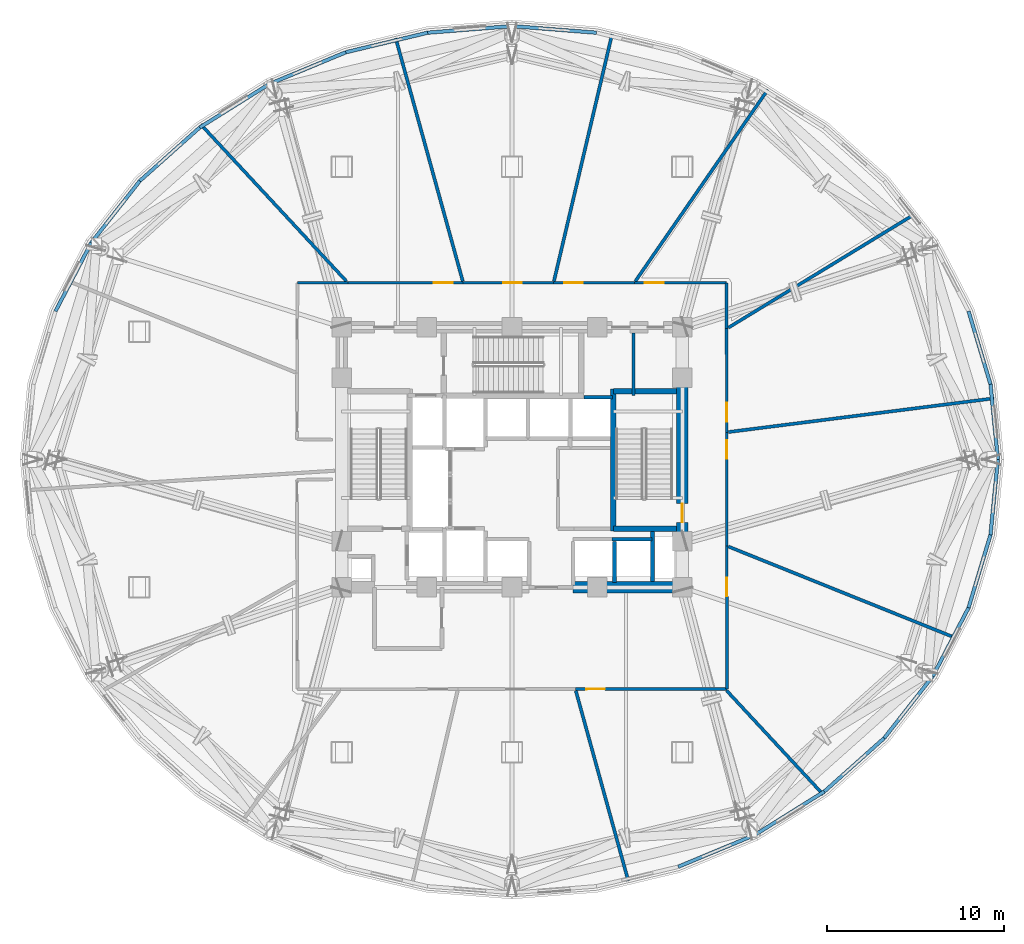
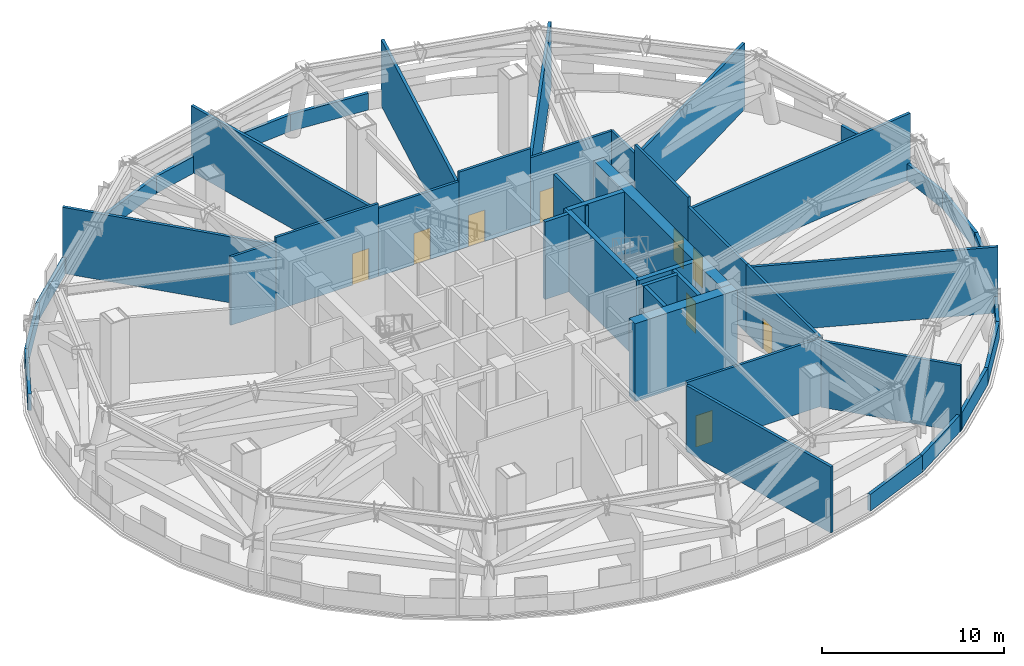
# One storey, part 8 of 14: 46 walls, 9 doors, 9 openings.
"""IFC4 building model written with IfcOpenShell, lengths in metres."""

from ifc_helpers import new_model, si_unit, direction, frame, frame_2d, origin, place, context, subcontext, project, spatial, rectangle, extrude, material, layer, layer_set, type_object, element, fill, save


model = new_model("IFC4")

# Units and contexts
model_context = context("Model", 3, precision=1e-05, world=origin(), true_north=direction((0.0, 1.0)))
body_context = subcontext(model_context, "Body", "Model", "MODEL_VIEW")
ifc_project = project(units=[si_unit("LENGTHUNIT", "METRE"), si_unit("AREAUNIT", "SQUARE_METRE"), si_unit("VOLUMEUNIT", "CUBIC_METRE"), si_unit("PLANEANGLEUNIT", "RADIAN"), si_unit("MASSUNIT", "GRAM", prefix="KILO")], contexts=[model_context])

# Site, building, storey
site_placement = place(None, origin())
site = spatial("IfcSite", under=ifc_project, at=site_placement, CompositionType="ELEMENT")
building_placement = place(site_placement, origin())
building = spatial("IfcBuilding", under=site, at=building_placement, Name="Vantalir Tower", CompositionType="ELEMENT")
storey_placement = place(building_placement, frame((0.0, 0.0, 90.75)))
storey = spatial("IfcBuildingStorey", under=building, at=storey_placement, Name="L22", CompositionType="ELEMENT", Elevation=90.75)

# Wall
ifc_material_1 = material(Name="Concrete C60/75", Category="concrete")
ifc_layer_1 = layer(ifc_material_1, 0.64990234375)
ifc_layer_set_1 = layer_set([ifc_layer_1], Name="Concrete C60/75")
wall_type_1 = type_object("IfcWallType", Name="WL-CORE-650", PredefinedType="SHEAR", material=ifc_layer_set_1)
wall_1_placement = place(storey_placement, frame((34.949951171875, 17.800048828125, 0.0), z_axis=(0.0, 0.0, 1.0), x_axis=(1.0, 0.0, 0.0)))
element("IfcWall", 1, at=wall_1_placement, inside=storey, type_object=wall_type_1, Name="L22 Core Shear Wall South-East", PredefinedType="SHEAR", context=body_context, shape_type="SweptSolid", body=[
    extrude(rectangle(XDim=6.47509765625, YDim=0.64990234375, at=frame_2d((3.237548828125, 0.0))), origin(), (0.0, 0.0, 1.0), 5.219970703125),
])

# Wall, opening, door
wall_2_placement = place(storey_placement, frame((41.10009765625, 18.125, 0.0), z_axis=(0.0, 0.0, 1.0), x_axis=(0.0, 1.0, 0.0)))
wall_2 = element("IfcWall", 2, at=wall_2_placement, inside=storey, type_object=wall_type_1, Name="L22 Core Shear Wall East", PredefinedType="SHEAR", context=body_context, shape_type="SweptSolid", body=[
    extrude(rectangle(XDim=14.0, YDim=0.64990234375, at=frame_2d((7.0, 0.0))), origin(), (0.0, 0.0, 1.0), 5.219970703125),
])
opening_1_placement = place(wall_2_placement, frame((3.3349609375, 0.0, 0.0)))
opening_1 = element("IfcOpeningElement", 3, at=opening_1_placement, cuts=wall_2, Name="Opening D-ST", PredefinedType="OPENING", context=body_context, shape_type="SweptSolid", body=[
    extrude(rectangle(XDim=1.050048828125, YDim=2.10009765625, at=frame_2d((0.52490234375, 1.050048828125))), frame((0.0, 0.3349609375, 0.0), z_axis=(0.0, -1.0, 0.0), x_axis=(1.0, 0.0, 0.0)), (0.0, 0.0, 1.0), 0.669921875),
])
ifc_material_2 = material(Name="Fire-rated steel door leaf", Category="steel")
door_type = type_object("IfcDoorType", Name="DR-FIRE-STAIR-1050", OperationType="NOTDEFINED", PredefinedType="DOOR", material=ifc_material_2)
door_1_placement = place(opening_1_placement, origin())
door_1 = element("IfcDoor", 4, at=door_1_placement, inside=storey, type_object=door_type, Name="L22 Exit Stair ST2 Fire Door", OperationType="SINGLE_SWING_LEFT", OverallHeight=2.10009765625, OverallWidth=1.050048828125, PredefinedType="DOOR", context=body_context, shape_type="SweptSolid", body=[
    extrude(rectangle(XDim=1.050048828125, YDim=2.10009765625, at=frame_2d((0.52490234375, 1.050048828125))), frame((0.0, 0.02490234375, 0.0), z_axis=(0.0, -1.0, 0.0), x_axis=(1.0, 0.0, 0.0)), (0.0, 0.0, 1.0), 0.050048828125),
])
fill(opening_1, door_1)

# Wall
ifc_material_3 = material(Name="Fire-rated hotel corridor acoustic partition", Category="gypsum")
ifc_layer_2 = layer(ifc_material_3, 0.159912109375)
ifc_layer_set_2 = layer_set([ifc_layer_2], Name="Fire-rated hotel corridor acoustic partition")
wall_type_2 = type_object("IfcWallType", Name="WL-CORR-160", PredefinedType="PARTITIONING", material=ifc_layer_set_2)
wall_3_placement = place(storey_placement, frame((19.406005859375, 34.9599609375, 0.0), z_axis=(0.0, 0.0, 1.0), x_axis=(1.0, 0.0, 0.0)))
element("IfcWall", 5, at=wall_3_placement, inside=storey, type_object=wall_type_2, Name="L22 Corridor Partition 04", PredefinedType="PARTITIONING", context=body_context, shape_type="SweptSolid", body=[
    extrude(rectangle(XDim=2.843017578125, YDim=0.159912109375, at=frame_2d((1.42138671875, 0.0))), origin(), (0.0, 0.0, 1.0), 4.577880859375),
])

# Wall, opening, door
wall_4_placement = place(storey_placement, frame((22.2490234375, 34.9599609375, 0.0), z_axis=(0.0, 0.0, 1.0), x_axis=(1.0, 0.0, 0.0)))
wall_4 = element("IfcWall", 6, at=wall_4_placement, inside=storey, type_object=wall_type_2, Name="L22 Corridor Partition 05", PredefinedType="PARTITIONING", context=body_context, shape_type="SweptSolid", body=[
    extrude(rectangle(XDim=6.501953125, YDim=0.159912109375, at=frame_2d((3.2509765625, 0.0))), origin(), (0.0, 0.0, 1.0), 4.887939453125),
])
opening_2_placement = place(wall_4_placement, frame((4.85205078125, 0.0, 0.0)))
opening_2 = element("IfcOpeningElement", 7, at=opening_2_placement, cuts=wall_4, Name="Opening D-ST", PredefinedType="OPENING", context=body_context, shape_type="SweptSolid", body=[
    extrude(rectangle(XDim=1.050048828125, YDim=2.10009765625, at=frame_2d((0.52490234375, 1.050048828125))), frame((0.0, 0.08984375, 0.0), z_axis=(0.0, -1.0, 0.0), x_axis=(1.0, 0.0, 0.0)), (0.0, 0.0, 1.0), 0.179931640625),
])
door_2_placement = place(opening_2_placement, origin())
door_2 = element("IfcDoor", 8, at=door_2_placement, inside=storey, type_object=door_type, Name="L22 North Dehumidification Plant Room Door", OperationType="SINGLE_SWING_RIGHT", OverallHeight=2.10009765625, OverallWidth=1.050048828125, PredefinedType="DOOR", context=body_context, shape_type="SweptSolid", body=[
    extrude(rectangle(XDim=1.050048828125, YDim=2.10009765625, at=frame_2d((0.52490234375, 1.050048828125))), frame((0.0, 0.02490234375, 0.0), z_axis=(0.0, -1.0, 0.0), x_axis=(1.0, 0.0, 0.0)), (0.0, 0.0, 1.0), 0.050048828125),
])
fill(opening_2, door_2)

wall_5_placement = place(storey_placement, frame((28.7509765625, 34.9599609375, 0.0), z_axis=(0.0, 0.0, 1.0), x_axis=(1.0, 0.0, 0.0)))
wall_5 = element("IfcWall", 9, at=wall_5_placement, inside=storey, type_object=wall_type_2, Name="L22 Corridor Partition 06", PredefinedType="PARTITIONING", context=body_context, shape_type="SweptSolid", body=[
    extrude(rectangle(XDim=5.093017578125, YDim=0.159912109375, at=frame_2d((2.54638671875, 0.0))), origin(), (0.0, 0.0, 1.0), 4.577880859375),
])
opening_3_placement = place(wall_5_placement, frame((2.2451171875, 0.0, 0.0)))
opening_3 = element("IfcOpeningElement", 10, at=opening_3_placement, cuts=wall_5, Name="Opening D-ST", PredefinedType="OPENING", context=body_context, shape_type="SweptSolid", body=[
    extrude(rectangle(XDim=1.050048828125, YDim=2.10009765625, at=frame_2d((0.52490234375, 1.050048828125))), frame((0.0, 0.08984375, 0.0), z_axis=(0.0, -1.0, 0.0), x_axis=(1.0, 0.0, 0.0)), (0.0, 0.0, 1.0), 0.179931640625),
])
door_3_placement = place(opening_3_placement, origin())
door_3 = element("IfcDoor", 11, at=door_3_placement, inside=storey, type_object=door_type, Name="L22 Refuge Area North Door", OperationType="SINGLE_SWING_LEFT", OverallHeight=2.10009765625, OverallWidth=1.050048828125, PredefinedType="DOOR", context=body_context, shape_type="SweptSolid", body=[
    extrude(rectangle(XDim=1.050048828125, YDim=2.10009765625, at=frame_2d((0.52490234375, 1.050048828125))), frame((0.0, 0.02490234375, 0.0), z_axis=(0.0, -1.0, 0.0), x_axis=(1.0, 0.0, 0.0)), (0.0, 0.0, 1.0), 0.050048828125),
])
fill(opening_3, door_3)

wall_6_placement = place(storey_placement, frame((33.843994140625, 34.9599609375, 0.0), z_axis=(0.0, 0.0, 1.0), x_axis=(1.0, 0.0, 0.0)))
wall_6 = element("IfcWall", 12, at=wall_6_placement, inside=storey, type_object=wall_type_2, Name="L22 Corridor Partition 07", PredefinedType="PARTITIONING", context=body_context, shape_type="SweptSolid", body=[
    extrude(rectangle(XDim=4.5458984375, YDim=0.159912109375, at=frame_2d((2.27294921875, 0.0))), origin(), (0.0, 0.0, 1.0), 5.199951171875),
])
opening_4_placement = place(wall_6_placement, frame((0.593017578125, 0.0, 0.0)))
opening_4 = element("IfcOpeningElement", 13, at=opening_4_placement, cuts=wall_6, Name="Opening D-ST", PredefinedType="OPENING", context=body_context, shape_type="SweptSolid", body=[
    extrude(rectangle(XDim=1.050048828125, YDim=2.10009765625, at=frame_2d((0.52490234375, 1.050048828125))), frame((0.0, 0.08984375, 0.0), z_axis=(0.0, -1.0, 0.0), x_axis=(1.0, 0.0, 0.0)), (0.0, 0.0, 1.0), 0.179931640625),
])
door_4_placement = place(opening_4_placement, origin())
door_4 = element("IfcDoor", 14, at=door_4_placement, inside=storey, type_object=door_type, Name="L22 East Air Handling Plant Room Door", OperationType="SINGLE_SWING_RIGHT", OverallHeight=2.10009765625, OverallWidth=1.050048828125, PredefinedType="DOOR", context=body_context, shape_type="SweptSolid", body=[
    extrude(rectangle(XDim=1.050048828125, YDim=2.10009765625, at=frame_2d((0.52490234375, 1.050048828125))), frame((0.0, 0.02490234375, 0.0), z_axis=(0.0, -1.0, 0.0), x_axis=(1.0, 0.0, 0.0)), (0.0, 0.0, 1.0), 0.050048828125),
])
fill(opening_4, door_4)

wall_7_placement = place(storey_placement, frame((38.389892578125, 34.9599609375, 0.0), z_axis=(0.0, 0.0, 1.0), x_axis=(1.0, 0.0, 0.0)))
wall_7 = element("IfcWall", 15, at=wall_7_placement, inside=storey, type_object=wall_type_2, Name="L22 Corridor Partition 08", PredefinedType="PARTITIONING", context=body_context, shape_type="SweptSolid", body=[
    extrude(rectangle(XDim=5.2041015625, YDim=0.159912109375, at=frame_2d((2.60205078125, 0.0))), origin(), (0.0, 0.0, 1.0), 4.577880859375),
])
opening_5_placement = place(wall_7_placement, frame((0.60205078125, 0.0, 0.0)))
opening_5 = element("IfcOpeningElement", 16, at=opening_5_placement, cuts=wall_7, Name="Opening D-ST", PredefinedType="OPENING", context=body_context, shape_type="SweptSolid", body=[
    extrude(rectangle(XDim=1.050048828125, YDim=2.10009765625, at=frame_2d((0.52490234375, 1.050048828125))), frame((0.0, 0.08984375, 0.0), z_axis=(0.0, -1.0, 0.0), x_axis=(1.0, 0.0, 0.0)), (0.0, 0.0, 1.0), 0.179931640625),
])
door_5_placement = place(opening_5_placement, origin())
door_5 = element("IfcDoor", 17, at=door_5_placement, inside=storey, type_object=door_type, Name="L22 Plate Heat Exchanger Plant Room Door", OperationType="SINGLE_SWING_LEFT", OverallHeight=2.10009765625, OverallWidth=1.050048828125, PredefinedType="DOOR", context=body_context, shape_type="SweptSolid", body=[
    extrude(rectangle(XDim=1.050048828125, YDim=2.10009765625, at=frame_2d((0.52490234375, 1.050048828125))), frame((0.0, 0.02490234375, 0.0), z_axis=(0.0, -1.0, 0.0), x_axis=(1.0, 0.0, 0.0)), (0.0, 0.0, 1.0), 0.050048828125),
])
fill(opening_5, door_5)

# Wall
wall_8_placement = place(storey_placement, frame((43.593994140625, 34.9599609375, 0.0), z_axis=(0.0, 0.0, 1.0), x_axis=(0.000754147599, -0.999999715631, 0.0)))
element("IfcWall", 18, at=wall_8_placement, inside=storey, type_object=wall_type_2, Name="L22 Corridor Partition 09", PredefinedType="PARTITIONING", context=body_context, shape_type="SweptSolid", body=[
    extrude(rectangle(XDim=2.58984375, YDim=0.159912109375, at=frame_2d((1.294921875, 0.0))), origin(), (0.0, 0.0, 1.0), 4.577880859375),
])

# Wall, opening, door
wall_9_placement = place(storey_placement, frame((43.595947265625, 32.3701171875, 0.0), z_axis=(0.0, 0.0, 1.0), x_axis=(0.000711386186, -0.999999746965, 0.0)))
wall_9 = element("IfcWall", 19, at=wall_9_placement, inside=storey, type_object=wall_type_2, Name="L22 Corridor Partition 10", PredefinedType="PARTITIONING", context=body_context, shape_type="SweptSolid", body=[
    extrude(rectangle(XDim=5.834228515625, YDim=0.159912109375, at=frame_2d((2.9169921875, 0.0))), origin(), (0.0, 0.0, 1.0), 5.199951171875),
])
opening_6_placement = place(wall_9_placement, frame((4.177978515625, 0.0, 0.0)))
opening_6 = element("IfcOpeningElement", 20, at=opening_6_placement, cuts=wall_9, Name="Opening D-ST", PredefinedType="OPENING", context=body_context, shape_type="SweptSolid", body=[
    extrude(rectangle(XDim=1.050048828125, YDim=2.10009765625, at=frame_2d((0.52490234375, 1.050048828125))), frame((0.0, 0.08984375, 0.0), z_axis=(0.0, -1.0, 0.0), x_axis=(1.0, 0.0, 0.0)), (0.0, 0.0, 1.0), 0.179931640625),
])
door_6_placement = place(opening_6_placement, origin())
door_6 = element("IfcDoor", 21, at=door_6_placement, inside=storey, type_object=door_type, Name="L22 Primary Chiller Mechanical Plant Room Door", OperationType="SINGLE_SWING_RIGHT", OverallHeight=2.10009765625, OverallWidth=1.050048828125, PredefinedType="DOOR", context=body_context, shape_type="SweptSolid", body=[
    extrude(rectangle(XDim=1.050048828125, YDim=2.10009765625, at=frame_2d((0.52490234375, 1.050048828125))), frame((0.0, 0.02490234375, 0.0), z_axis=(0.0, -1.0, 0.0), x_axis=(1.0, 0.0, 0.0)), (0.0, 0.0, 1.0), 0.050048828125),
])
fill(opening_6, door_6)

wall_10_placement = place(storey_placement, frame((43.60009765625, 26.535888671875, 0.0), z_axis=(0.0, 0.0, 1.0), x_axis=(0.000609988449, -0.999999813957, 0.0)))
wall_10 = element("IfcWall", 22, at=wall_10_placement, inside=storey, type_object=wall_type_2, Name="L22 Corridor Partition 11", PredefinedType="PARTITIONING", context=body_context, shape_type="SweptSolid", body=[
    extrude(rectangle(XDim=6.40380859375, YDim=0.159912109375, at=frame_2d((3.201904296875, 0.0))), origin(), (0.0, 0.0, 1.0), 4.577880859375),
])
opening_7_placement = place(wall_10_placement, frame((0.4560546875, 0.0, 0.0)))
opening_7 = element("IfcOpeningElement", 23, at=opening_7_placement, cuts=wall_10, Name="Opening D-ST", PredefinedType="OPENING", context=body_context, shape_type="SweptSolid", body=[
    extrude(rectangle(XDim=1.050048828125, YDim=2.10009765625, at=frame_2d((0.52490234375, 1.050048828125))), frame((0.0, 0.08984375, 0.0), z_axis=(0.0, -1.0, 0.0), x_axis=(1.0, 0.0, 0.0)), (0.0, 0.0, 1.0), 0.179931640625),
])
door_7_placement = place(opening_7_placement, origin())
door_7 = element("IfcDoor", 24, at=door_7_placement, inside=storey, type_object=door_type, Name="L22 BMS Control Mechanical Plant Room Door", OperationType="SINGLE_SWING_LEFT", OverallHeight=2.10009765625, OverallWidth=1.050048828125, PredefinedType="DOOR", context=body_context, shape_type="SweptSolid", body=[
    extrude(rectangle(XDim=1.050048828125, YDim=2.10009765625, at=frame_2d((0.52490234375, 1.050048828125))), frame((0.0, 0.02490234375, 0.0), z_axis=(0.0, -1.0, 0.0), x_axis=(1.0, 0.0, 0.0)), (0.0, 0.0, 1.0), 0.050048828125),
])
fill(opening_7, door_7)

wall_11_placement = place(storey_placement, frame((43.60400390625, 20.132080078125, 0.0), z_axis=(0.0, 0.0, 1.0), x_axis=(0.000757162543, -0.999999713352, 0.0)))
wall_11 = element("IfcWall", 25, at=wall_11_placement, inside=storey, type_object=wall_type_2, Name="L22 Corridor Partition 12", PredefinedType="PARTITIONING", context=body_context, shape_type="SweptSolid", body=[
    extrude(rectangle(XDim=8.06103515625, YDim=0.159912109375, at=frame_2d((4.030517578125, 0.0))), origin(), (0.0, 0.0, 1.0), 4.577880859375),
])
opening_8_placement = place(wall_11_placement, frame((1.7958984375, 0.0, 0.0)))
opening_8 = element("IfcOpeningElement", 26, at=opening_8_placement, cuts=wall_11, Name="Opening D-ST", PredefinedType="OPENING", context=body_context, shape_type="SweptSolid", body=[
    extrude(rectangle(XDim=1.050048828125, YDim=2.10009765625, at=frame_2d((0.52490234375, 1.050048828125))), frame((0.0, 0.08984375, 0.0), z_axis=(0.0, -1.0, 0.0), x_axis=(1.0, 0.0, 0.0)), (0.0, 0.0, 1.0), 0.179931640625),
])
door_8_placement = place(opening_8_placement, origin())
door_8 = element("IfcDoor", 27, at=door_8_placement, inside=storey, type_object=door_type, Name="L22 Stair Pressurisation Fan Plant Room Door", OperationType="SINGLE_SWING_RIGHT", OverallHeight=2.10009765625, OverallWidth=1.050048828125, PredefinedType="DOOR", context=body_context, shape_type="SweptSolid", body=[
    extrude(rectangle(XDim=1.050048828125, YDim=2.10009765625, at=frame_2d((0.52490234375, 1.050048828125))), frame((0.0, 0.02490234375, 0.0), z_axis=(0.0, -1.0, 0.0), x_axis=(1.0, 0.0, 0.0)), (0.0, 0.0, 1.0), 0.050048828125),
])
fill(opening_8, door_8)

wall_12_placement = place(storey_placement, frame((43.610107421875, 12.071044921875, 0.0), z_axis=(0.0, 0.0, 1.0), x_axis=(-0.999999744606, -0.000714693928, 0.0)))
wall_12 = element("IfcWall", 28, at=wall_12_placement, inside=storey, type_object=wall_type_2, Name="L22 Corridor Partition 13", PredefinedType="PARTITIONING", context=body_context, shape_type="SweptSolid", body=[
    extrude(rectangle(XDim=8.5400390625, YDim=0.159912109375, at=frame_2d((4.27001953125, 0.0))), origin(), (0.0, 0.0, 1.0), 4.577880859375),
])
opening_9_placement = place(wall_12_placement, frame((6.882080078125, 0.0, 0.0)))
opening_9 = element("IfcOpeningElement", 29, at=opening_9_placement, cuts=wall_12, Name="Opening D-ST", PredefinedType="OPENING", context=body_context, shape_type="SweptSolid", body=[
    extrude(rectangle(XDim=1.050048828125, YDim=2.10009765625, at=frame_2d((0.52490234375, 1.050048828125))), frame((0.0, 0.08984375, 0.0), z_axis=(0.0, -1.0, 0.0), x_axis=(1.0, 0.0, 0.0)), (0.0, 0.0, 1.0), 0.179931640625),
])
door_9_placement = place(opening_9_placement, origin())
door_9 = element("IfcDoor", 30, at=door_9_placement, inside=storey, type_object=door_type, Name="L22 Smoke Extract Fan Plant Room Door", OperationType="SINGLE_SWING_LEFT", OverallHeight=2.10009765625, OverallWidth=1.050048828125, PredefinedType="DOOR", context=body_context, shape_type="SweptSolid", body=[
    extrude(rectangle(XDim=1.050048828125, YDim=2.10009765625, at=frame_2d((0.52490234375, 1.050048828125))), frame((0.0, 0.02490234375, 0.0), z_axis=(0.0, -1.0, 0.0), x_axis=(1.0, 0.0, 0.0)), (0.0, 0.0, 1.0), 0.050048828125),
])
fill(opening_9, door_9)

# Walls
ifc_material_4 = material(Name="Concrete blockwork with fireboard lining", Category="masonry")
ifc_layer_3 = layer(ifc_material_4, 0.219970703125)
ifc_layer_set_3 = layer_set([ifc_layer_3], Name="Concrete blockwork with fireboard lining")
wall_type_3 = type_object("IfcWallType", Name="WL-FFL-220", PredefinedType="PARTITIONING", material=ifc_layer_set_3)
wall_13_placement = place(storey_placement, frame((37.27490234375, 18.080078125, 0.0), z_axis=(0.0, 0.0, 1.0), x_axis=(0.0, 1.0, 0.0)))
element("IfcWall", 31, at=wall_13_placement, inside=storey, type_object=wall_type_3, Name="L22 Shuttle Lift PL-X2/X3 Shaft Divider", PredefinedType="PARTITIONING", context=body_context, shape_type="SweptSolid", body=[
    extrude(rectangle(XDim=2.309814453125, YDim=0.219970703125, at=frame_2d((1.15478515625, 0.0))), origin(), (0.0, 0.0, 1.0), 5.195068359375),
])
wall_14_placement = place(storey_placement, frame((39.419921875, 18.125, 0.0), z_axis=(0.0, 0.0, 1.0), x_axis=(0.0, 1.0, 0.0)))
element("IfcWall", 32, at=wall_14_placement, inside=storey, type_object=wall_type_3, Name="L22 East MEP Riser Wall W", PredefinedType="PARTITIONING", context=body_context, shape_type="SweptSolid", body=[
    extrude(rectangle(XDim=2.824951171875, YDim=0.219970703125, at=frame_2d((1.41259765625, 0.0))), origin(), (0.0, 0.0, 1.0), 5.199951171875),
])
wall_15_placement = place(storey_placement, frame((37.139892578125, 20.510009765625, 0.0), z_axis=(0.0, 0.0, 1.0), x_axis=(1.0, 0.0, 0.0)))
element("IfcWall", 33, at=wall_15_placement, inside=storey, type_object=wall_type_3, Name="L22 Lift PL-X2 Shaft Rear Wall", PredefinedType="PARTITIONING", context=body_context, shape_type="SweptSolid", body=[
    extrude(rectangle(XDim=2.239990234375, YDim=0.219970703125, at=frame_2d((1.1201171875, 0.0))), origin(), (0.0, 0.0, 1.0), 5.199951171875),
])
wall_16_placement = place(storey_placement, frame((35.56005859375, 28.510009765625, 0.0), z_axis=(0.0, 0.0, 1.0), x_axis=(1.0, 0.0, 0.0)))
element("IfcWall", 34, at=wall_16_placement, inside=storey, type_object=wall_type_3, Name="L22 Lift PL-H3 Shaft Front Wall", PredefinedType="PARTITIONING", context=body_context, shape_type="SweptSolid", body=[
    extrude(rectangle(XDim=1.599853515625, YDim=0.219970703125, at=frame_2d((0.7998046875, 0.0))), origin(), (0.0, 0.0, 1.0), 5.199951171875),
])
ifc_material_5 = material(Name="Twin-stud acoustic fire-rated gypsum partition", Category="gypsum")
ifc_layer_4 = layer(ifc_material_5, 0.179931640625)
ifc_layer_set_4 = layer_set([ifc_layer_4], Name="Twin-stud acoustic fire-rated gypsum partition")
wall_type_4 = type_object("IfcWallType", Name="WL-GUEST-180", PredefinedType="PARTITIONING", material=ifc_layer_set_4)
wall_17_placement = place(storey_placement, frame((38.340087890625, 28.6201171875, 0.0), z_axis=(0.0, 0.0, 1.0), x_axis=(0.0, 1.0, 0.0)))
element("IfcWall", 35, at=wall_17_placement, inside=storey, type_object=wall_type_4, Name="L22 High-Rise Lift Lobby East Wall", PredefinedType="PARTITIONING", context=body_context, shape_type="SweptSolid", body=[
    extrude(rectangle(XDim=3.5048828125, YDim=0.179931640625, at=frame_2d((1.75244140625, 0.0))), origin(), (0.0, 0.0, 1.0), 5.199951171875),
])
wall_18_placement = place(storey_placement, frame((43.68994140625, 26.548095703125, 0.0), z_axis=(0.0, 0.0, 1.0), x_axis=(0.992044699696, 0.125886114422, 0.0)))
element("IfcWall", 36, at=wall_18_placement, inside=storey, type_object=wall_type_4, Name="L22 Radial Suite Partition 01", PredefinedType="PARTITIONING", context=body_context, shape_type="SweptSolid", body=[
    extrude(rectangle(XDim=15.09228515625, YDim=0.179931640625, at=frame_2d((7.546142578125, 0.0))), origin(), (0.0, 0.0, 1.0), 4.425048828125),
])
wall_19_placement = place(storey_placement, frame((43.68994140625, 32.427978515625, 0.0), z_axis=(0.0, 0.0, 1.0), x_axis=(0.853952724767, 0.520350597062, 0.0)))
element("IfcWall", 37, at=wall_19_placement, inside=storey, type_object=wall_type_4, Name="L22 Radial Suite Partition 02", PredefinedType="PARTITIONING", context=body_context, shape_type="SweptSolid", body=[
    extrude(rectangle(XDim=12.220947265625, YDim=0.179931640625, at=frame_2d((6.1103515625, 0.0))), origin(), (0.0, 0.0, 1.0), 4.425048828125),
])
wall_20_placement = place(storey_placement, frame((38.445068359375, 35.0400390625, 0.0), z_axis=(0.0, 0.0, 1.0), x_axis=(0.568885080326, 0.822417026442, 0.0)))
element("IfcWall", 38, at=wall_20_placement, inside=storey, type_object=wall_type_4, Name="L22 Radial Suite Partition 03", PredefinedType="PARTITIONING", context=body_context, shape_type="SweptSolid", body=[
    extrude(rectangle(XDim=13.130859375, YDim=0.179931640625, at=frame_2d((6.5654296875, 0.0))), origin(), (0.0, 0.0, 1.0), 4.425048828125),
])
wall_21_placement = place(storey_placement, frame((33.862060546875, 35.0400390625, 0.0), z_axis=(0.0, 0.0, 1.0), x_axis=(0.229014599455, 0.97342298783, 0.0)))
element("IfcWall", 39, at=wall_21_placement, inside=storey, type_object=wall_type_4, Name="L22 Radial Suite Partition 04", PredefinedType="PARTITIONING", context=body_context, shape_type="SweptSolid", body=[
    extrude(rectangle(XDim=14.30419921875, YDim=0.179931640625, at=frame_2d((7.152099609375, 0.0))), origin(), (0.0, 0.0, 1.0), 4.425048828125),
])
wall_22_placement = place(storey_placement, frame((28.72900390625, 35.0400390625, 0.0), z_axis=(0.0, 0.0, 1.0), x_axis=(-0.26607591292, 0.963952077939, 0.0)))
element("IfcWall", 40, at=wall_22_placement, inside=storey, type_object=wall_type_4, Name="L22 Radial Suite Partition 05", PredefinedType="PARTITIONING", context=body_context, shape_type="SweptSolid", body=[
    extrude(rectangle(XDim=14.217529296875, YDim=0.179931640625, at=frame_2d((7.10888671875, 0.0))), origin(), (0.0, 0.0, 1.0), 4.425048828125),
])
wall_23_placement = place(storey_placement, frame((22.175048828125, 35.0400390625, 0.0), z_axis=(0.0, 0.0, 1.0), x_axis=(-0.680579078365, 0.732674633171, 0.0)))
element("IfcWall", 41, at=wall_23_placement, inside=storey, type_object=wall_type_4, Name="L22 Radial Suite Partition 06", PredefinedType="PARTITIONING", context=body_context, shape_type="SweptSolid", body=[
    extrude(rectangle(XDim=12.072265625, YDim=0.179931640625, at=frame_2d((6.0361328125, 0.0))), origin(), (0.0, 0.0, 1.0), 4.425048828125),
])
wall_24_placement = place(storey_placement, frame((35.094970703125, 11.97509765625, 0.0), z_axis=(0.0, 0.0, 1.0), x_axis=(0.266069688198, -0.963953796103, 0.0)))
element("IfcWall", 42, at=wall_24_placement, inside=storey, type_object=wall_type_4, Name="L22 Radial Suite Partition 12", PredefinedType="PARTITIONING", context=body_context, shape_type="SweptSolid", body=[
    extrude(rectangle(XDim=11.12109375, YDim=0.179931640625, at=frame_2d((5.560546875, 0.0))), origin(), (0.0, 0.0, 1.0), 4.425048828125),
])
wall_25_placement = place(storey_placement, frame((43.595947265625, 11.97705078125, 0.0), z_axis=(0.0, 0.0, 1.0), x_axis=(0.680566962712, -0.732685887175, 0.0)))
element("IfcWall", 43, at=wall_25_placement, inside=storey, type_object=wall_type_4, Name="L22 Radial Suite Partition 13", PredefinedType="PARTITIONING", context=body_context, shape_type="SweptSolid", body=[
    extrude(rectangle(XDim=8.000732421875, YDim=0.179931640625, at=frame_2d((4.00048828125, 0.0))), origin(), (0.0, 0.0, 1.0), 4.425048828125),
])
wall_26_placement = place(storey_placement, frame((43.68994140625, 20.096923828125, 0.0), z_axis=(0.0, 0.0, 1.0), x_axis=(0.927784907808, -0.373115484593, 0.0)))
element("IfcWall", 44, at=wall_26_placement, inside=storey, type_object=wall_type_4, Name="L22 Radial Suite Partition 14", PredefinedType="PARTITIONING", context=body_context, shape_type="SweptSolid", body=[
    extrude(rectangle(XDim=13.783447265625, YDim=0.179931640625, at=frame_2d((6.8916015625, 0.0))), origin(), (0.0, 0.0, 1.0), 4.425048828125),
])
ifc_material_6 = material(Name="Concrete C40/50 parapet upstand", Category="concrete")
ifc_layer_5 = layer(ifc_material_6, 0.199951171875)
ifc_layer_set_5 = layer_set([ifc_layer_5], Name="Concrete C40/50 parapet upstand")
wall_type_5 = type_object("IfcWallType", Name="WL-PARA-200", PredefinedType="PARAPET", material=ifc_layer_set_5)
wall_27_placement = place(storey_placement, frame((58.8798828125, 25.0, 0.0), z_axis=(0.0, 0.0, 1.0), x_axis=(-0.097569198654, 0.995228743292, 0.0)))
element("IfcWall", 45, at=wall_27_placement, inside=storey, type_object=wall_type_5, Name="L22 Refuge Perimeter Parapet R01", PredefinedType="PARAPET", context=body_context, shape_type="SweptSolid", body=[
    extrude(rectangle(XDim=4.26123046875, YDim=0.199951171875, at=frame_2d((2.130615234375, 0.0))), origin(), (0.0, 0.0, 1.0), 1.1201171875),
])
wall_28_placement = place(storey_placement, frame((58.464111328125, 29.240966796875, 0.0), z_axis=(0.0, 0.0, 1.0), x_axis=(-0.287666089602, 0.957730766391, 0.0)))
element("IfcWall", 46, at=wall_28_placement, inside=storey, type_object=wall_type_5, Name="L22 Refuge Perimeter Parapet R02", PredefinedType="PARAPET", context=body_context, shape_type="SweptSolid", body=[
    extrude(rectangle(XDim=4.29345703125, YDim=0.199951171875, at=frame_2d((2.146728515625, 0.0))), origin(), (0.0, 0.0, 1.0), 1.1201171875),
])
for number, where, z_axis, x_axis, name in (
    (47, (36.25390625, 49.052001953125, 0.0), (0.0, 0.0, 1.0), (-0.996967108991, 0.077824055344, 0.0), "L22 Refuge Perimeter Parapet R09"),
    (48, (31.5, 49.423095703125, 0.0), (0.0, 0.0, 1.0), (-0.996967108991, -0.077824055344, 0.0), "L22 Refuge Perimeter Parapet R10"),
):
    element("IfcWall", number, at=place(storey_placement, frame(where, z_axis=z_axis, x_axis=x_axis)), inside=storey, type_object=wall_type_5, Name=name, PredefinedType="PARAPET", context=body_context, shape_type="SweptSolid", body=[
        extrude(rectangle(XDim=4.768310546875, YDim=0.199951171875, at=frame_2d((2.38427734375, 0.0))), origin(), (0.0, 0.0, 1.0), 1.1201171875),
    ])
wall_29_placement = place(storey_placement, frame((26.74609375, 49.052001953125, 0.0), z_axis=(0.0, 0.0, 1.0), x_axis=(-0.972607498373, -0.232453552584, 0.0)))
element("IfcWall", 49, at=wall_29_placement, inside=storey, type_object=wall_type_5, Name="L22 Refuge Perimeter Parapet R11", PredefinedType="PARAPET", context=body_context, shape_type="SweptSolid", body=[
    extrude(rectangle(XDim=4.740966796875, YDim=0.199951171875, at=frame_2d((2.37060546875, 0.0))), origin(), (0.0, 0.0, 1.0), 1.1201171875),
])
wall_30_placement = place(storey_placement, frame((22.135009765625, 47.949951171875, 0.0), z_axis=(0.0, 0.0, 1.0), x_axis=(-0.923303437926, -0.384071297436, 0.0)))
element("IfcWall", 50, at=wall_30_placement, inside=storey, type_object=wall_type_5, Name="L22 Refuge Perimeter Parapet R12", PredefinedType="PARAPET", context=body_context, shape_type="SweptSolid", body=[
    extrude(rectangle(XDim=4.684326171875, YDim=0.199951171875, at=frame_2d((2.34228515625, 0.0))), origin(), (0.0, 0.0, 1.0), 1.1201171875),
])
wall_31_placement = place(storey_placement, frame((17.81005859375, 46.15087890625, 0.0), z_axis=(0.0, 0.0, 1.0), x_axis=(-0.848188663057, -0.52969424375, 0.0)))
element("IfcWall", 51, at=wall_31_placement, inside=storey, type_object=wall_type_5, Name="L22 Refuge Perimeter Parapet R13", PredefinedType="PARAPET", context=body_context, shape_type="SweptSolid", body=[
    extrude(rectangle(XDim=4.610107421875, YDim=0.199951171875, at=frame_2d((2.30517578125, 0.0))), origin(), (0.0, 0.0, 1.0), 1.1201171875),
])
wall_32_placement = place(storey_placement, frame((13.89990234375, 43.708984375, 0.0), z_axis=(0.0, 0.0, 1.0), x_axis=(-0.746213513414, -0.66570668646, 0.0)))
element("IfcWall", 52, at=wall_32_placement, inside=storey, type_object=wall_type_5, Name="L22 Refuge Perimeter Parapet R14", PredefinedType="PARAPET", context=body_context, shape_type="SweptSolid", body=[
    extrude(rectangle(XDim=4.521484375, YDim=0.199951171875, at=frame_2d((2.2607421875, 0.0))), origin(), (0.0, 0.0, 1.0), 1.1201171875),
])
wall_33_placement = place(storey_placement, frame((10.52587890625, 40.698974609375, 0.0), z_axis=(0.0, 0.0, 1.0), x_axis=(-0.617536962494, -0.786541861539, 0.0)))
element("IfcWall", 53, at=wall_33_placement, inside=storey, type_object=wall_type_5, Name="L22 Refuge Perimeter Parapet R15", PredefinedType="PARAPET", context=body_context, shape_type="SweptSolid", body=[
    extrude(rectangle(XDim=4.433349609375, YDim=0.199951171875, at=frame_2d((2.216796875, 0.0))), origin(), (0.0, 0.0, 1.0), 1.1201171875),
])
wall_34_placement = place(storey_placement, frame((7.7880859375, 37.2119140625, 0.0), z_axis=(0.0, 0.0, 1.0), x_axis=(-0.463244201009, -0.88623067552, 0.0)))
element("IfcWall", 54, at=wall_34_placement, inside=storey, type_object=wall_type_5, Name="L22 Refuge Perimeter Parapet R16", PredefinedType="PARAPET", context=body_context, shape_type="SweptSolid", body=[
    extrude(rectangle(XDim=4.354248046875, YDim=0.199951171875, at=frame_2d((2.17724609375, 0.0))), origin(), (0.0, 0.0, 1.0), 1.1201171875),
])
wall_35_placement = place(storey_placement, frame((40.864990234375, 2.050048828125, 0.0), z_axis=(0.0, 0.0, 1.0), x_axis=(0.923303437926, 0.384071297436, 0.0)))
element("IfcWall", 55, at=wall_35_placement, inside=storey, type_object=wall_type_5, Name="L22 Refuge Perimeter Parapet R30", PredefinedType="PARAPET", context=body_context, shape_type="SweptSolid", body=[
    extrude(rectangle(XDim=4.684326171875, YDim=0.199951171875, at=frame_2d((2.34228515625, 0.0))), origin(), (0.0, 0.0, 1.0), 1.1201171875),
])
wall_36_placement = place(storey_placement, frame((45.18994140625, 3.84912109375, 0.0), z_axis=(0.0, 0.0, 1.0), x_axis=(0.848188663057, 0.52969424375, 0.0)))
element("IfcWall", 56, at=wall_36_placement, inside=storey, type_object=wall_type_5, Name="L22 Refuge Perimeter Parapet R31", PredefinedType="PARAPET", context=body_context, shape_type="SweptSolid", body=[
    extrude(rectangle(XDim=4.610107421875, YDim=0.199951171875, at=frame_2d((2.30517578125, 0.0))), origin(), (0.0, 0.0, 1.0), 1.1201171875),
])
wall_37_placement = place(storey_placement, frame((49.10009765625, 6.291015625, 0.0), z_axis=(0.0, 0.0, 1.0), x_axis=(0.746213513414, 0.66570668646, 0.0)))
element("IfcWall", 57, at=wall_37_placement, inside=storey, type_object=wall_type_5, Name="L22 Refuge Perimeter Parapet R32", PredefinedType="PARAPET", context=body_context, shape_type="SweptSolid", body=[
    extrude(rectangle(XDim=4.521484375, YDim=0.199951171875, at=frame_2d((2.2607421875, 0.0))), origin(), (0.0, 0.0, 1.0), 1.1201171875),
])
wall_38_placement = place(storey_placement, frame((52.47412109375, 9.301025390625, 0.0), z_axis=(0.0, 0.0, 1.0), x_axis=(0.617536962494, 0.786541861539, 0.0)))
element("IfcWall", 58, at=wall_38_placement, inside=storey, type_object=wall_type_5, Name="L22 Refuge Perimeter Parapet R33", PredefinedType="PARAPET", context=body_context, shape_type="SweptSolid", body=[
    extrude(rectangle(XDim=4.433349609375, YDim=0.199951171875, at=frame_2d((2.216796875, 0.0))), origin(), (0.0, 0.0, 1.0), 1.1201171875),
])
wall_39_placement = place(storey_placement, frame((55.2119140625, 12.7880859375, 0.0), z_axis=(0.0, 0.0, 1.0), x_axis=(0.463244201009, 0.88623067552, 0.0)))
element("IfcWall", 59, at=wall_39_placement, inside=storey, type_object=wall_type_5, Name="L22 Refuge Perimeter Parapet R34", PredefinedType="PARAPET", context=body_context, shape_type="SweptSolid", body=[
    extrude(rectangle(XDim=4.354248046875, YDim=0.199951171875, at=frame_2d((2.17724609375, 0.0))), origin(), (0.0, 0.0, 1.0), 1.1201171875),
])
wall_40_placement = place(storey_placement, frame((57.22900390625, 16.64697265625, 0.0), z_axis=(0.0, 0.0, 1.0), x_axis=(0.287666089602, 0.957730766391, 0.0)))
element("IfcWall", 60, at=wall_40_placement, inside=storey, type_object=wall_type_5, Name="L22 Refuge Perimeter Parapet R35", PredefinedType="PARAPET", context=body_context, shape_type="SweptSolid", body=[
    extrude(rectangle(XDim=4.29345703125, YDim=0.199951171875, at=frame_2d((2.146728515625, 0.0))), origin(), (0.0, 0.0, 1.0), 1.1201171875),
])
wall_41_placement = place(storey_placement, frame((58.464111328125, 20.759033203125, 0.0), z_axis=(0.0, 0.0, 1.0), x_axis=(0.097569198654, 0.995228743292, 0.0)))
element("IfcWall", 61, at=wall_41_placement, inside=storey, type_object=wall_type_5, Name="L22 Refuge Perimeter Parapet R36", PredefinedType="PARAPET", context=body_context, shape_type="SweptSolid", body=[
    extrude(rectangle(XDim=4.26123046875, YDim=0.199951171875, at=frame_2d((2.130615234375, 0.0))), origin(), (0.0, 0.0, 1.0), 1.1201171875),
])
ifc_material_7 = material(Name="Concrete C50/60", Category="concrete")
ifc_layer_6 = layer(ifc_material_7, 0.300048828125)
ifc_layer_set_6 = layer_set([ifc_layer_6], Name="Concrete C50/60")
wall_type_6 = type_object("IfcWallType", Name="WL-STAIR-300", PredefinedType="SHEAR", material=ifc_layer_set_6)
for number, where, z_axis, x_axis, name in (
    (62, (37.2099609375, 21.10009765625, 0.0), (0.0, 0.0, 1.0), (1.0, 0.0, 0.0), "L22 Stair ST2 South Wall"),
    (63, (37.2099609375, 28.85009765625, 0.0), (0.0, 0.0, 1.0), (1.0, 0.0, 0.0), "L22 Stair ST2 North Wall"),
):
    element("IfcWall", number, at=place(storey_placement, frame(where, z_axis=z_axis, x_axis=x_axis)), inside=storey, type_object=wall_type_6, Name=name, PredefinedType="SHEAR", context=body_context, shape_type="SweptSolid", body=[
        extrude(rectangle(XDim=3.56494140625, YDim=0.300048828125, at=frame_2d((1.782470703125, 0.0))), origin(), (0.0, 0.0, 1.0), 5.219970703125),
    ])
wall_42_placement = place(storey_placement, frame((37.2099609375, 20.97998046875, 0.0), z_axis=(0.0, 0.0, 1.0), x_axis=(0.0, 1.0, 0.0)))
element("IfcWall", 64, at=wall_42_placement, inside=storey, type_object=wall_type_6, Name="L22 Stair ST2 West Wall", PredefinedType="SHEAR", context=body_context, shape_type="SweptSolid", body=[
    extrude(rectangle(XDim=7.989990234375, YDim=0.300048828125, at=frame_2d((3.9951171875, 0.0))), origin(), (0.0, 0.0, 1.0), 5.219970703125),
])

save(model, "model.ifc")
